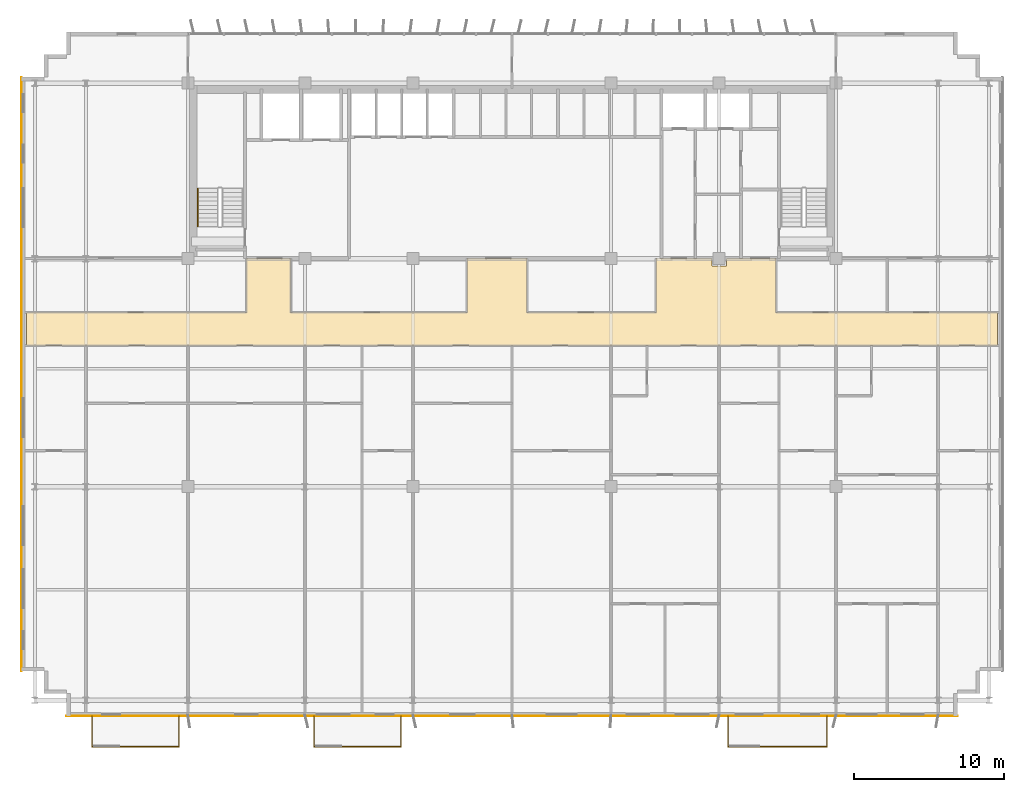
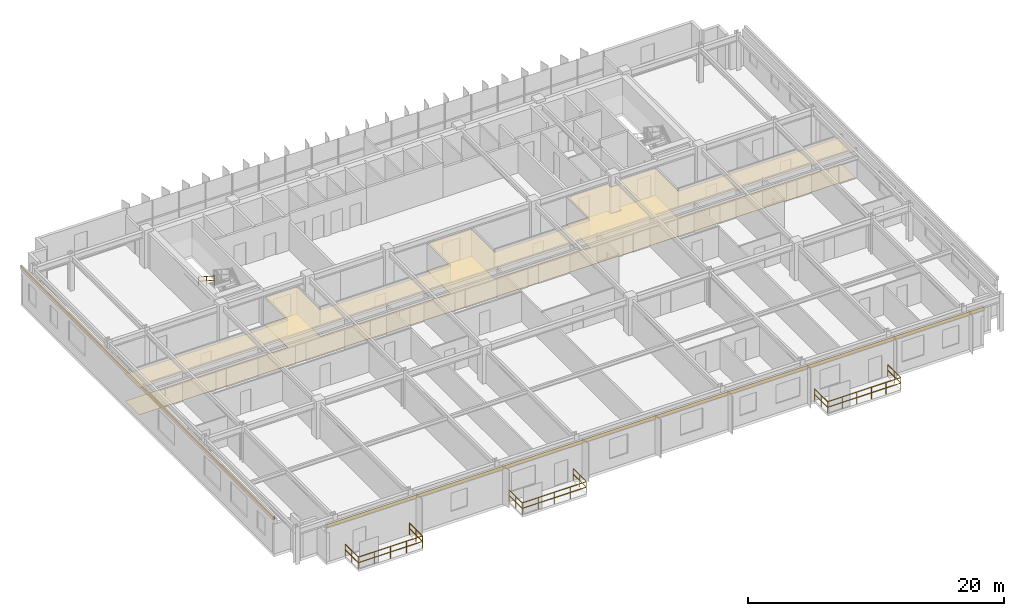
# One storey, part 19 of 21: 10 railings, 4 coverings.
"""IFC4 building model written with IfcOpenShell, lengths in metres."""

import ifcopenshell
import ifcopenshell.guid

model = None  # the IFC model being written
_history = None  # IfcOwnerHistory: only IFC2X3 demands one
_inside = {}  # id of a spatial element -> (the spatial element, [elements in it])
_under = {}  # id of a project, library or spatial element -> (it, [spatial elements below it])
_declared = {}  # id of a project -> (the project, [libraries it declares])
_typed = {}  # id of a type object -> (the type object, [elements of that type])
_made_of = {}  # id of a material, layer set ... -> (it, [elements and type objects made of it])


def new_model(schema):
    """Start an empty IFC model of exactly this schema.

    Asked for "IFC4X3", IfcOpenShell would pick the latest addendum, in which some entities
    have other attributes; the version numbers below select the first issue.
    IFC2X3 requires an IfcOwnerHistory on every rooted entity: one is made here for all.
    """
    global model, _history
    if schema == "IFC4X3":
        model = ifcopenshell.file(schema_version=(4, 3, 0, 0))
    else:
        model = ifcopenshell.file(schema=schema)
    _inside.clear()
    _under.clear()
    _declared.clear()
    _typed.clear()
    _made_of.clear()
    _history = None
    if model.schema == "IFC2X3":
        org = make("IfcOrganization", Name="unknown")
        user = make(
            "IfcPersonAndOrganization",
            ThePerson=make("IfcPerson", FamilyName="unknown"),
            TheOrganization=org,
        )
        app = make(
            "IfcApplication",
            ApplicationDeveloper=org,
            Version="unknown",
            ApplicationFullName="unknown",
            ApplicationIdentifier="unknown",
        )
        _history = make(
            "IfcOwnerHistory",
            OwningUser=user,
            OwningApplication=app,
            ChangeAction="ADDED",
            CreationDate=0,
        )
    return model


def make(cls, **values):
    """One entity of the class cls with the attributes given. An attribute that is None is left unset."""
    return model.create_entity(
        cls, **{name: value for name, value in values.items() if value is not None}
    )


def rooted(cls, **values):
    """An entity with a GlobalId (a new one), such as an element, a storey or a relation."""
    return make(cls, GlobalId=ifcopenshell.guid.new(), OwnerHistory=_history, **values)


def si_unit(unit_type, name, prefix=None):
    """IfcSIUnit, for example si_unit("LENGTHUNIT", "METRE", prefix="MILLI")."""
    return make("IfcSIUnit", UnitType=unit_type, Prefix=prefix, Name=name)


def assignment(units):
    """IfcUnitAssignment: the units of a project."""
    return None if units is None else make("IfcUnitAssignment", Units=units)


def point(xyz):
    """IfcCartesianPoint."""
    return None if xyz is None else make("IfcCartesianPoint", Coordinates=xyz)


def direction(xyz):
    """IfcDirection."""
    return None if xyz is None else make("IfcDirection", DirectionRatios=xyz)


def frame(location, z_axis=None, x_axis=None):
    """IfcAxis2Placement3D, a coordinate frame: its origin and axes. An axis left out is left unset."""
    return make(
        "IfcAxis2Placement3D",
        Location=point(location),
        Axis=direction(z_axis),
        RefDirection=direction(x_axis),
    )


def frame_2d(location, x_axis=None):
    """IfcAxis2Placement2D, a coordinate frame in the plane: its origin and x axis."""
    return make(
        "IfcAxis2Placement2D", Location=point(location), RefDirection=direction(x_axis)
    )


def origin():
    """The frame at (0, 0, 0) with its axes left unset."""
    return frame((0.0, 0.0, 0.0))


def origin_2d():
    """The frame at (0, 0) in the plane with its x axis left unset."""
    return frame_2d((0.0, 0.0))


def place(relative_to, where):
    """IfcLocalPlacement: puts the frame where relative to a parent placement (None: the world)."""
    return make(
        "IfcLocalPlacement", PlacementRelTo=relative_to, RelativePlacement=where
    )


def context(
    kind, dimensions, precision=None, world=None, true_north=None, identifier=None
):
    """IfcGeometricRepresentationContext, for example the 3D "Model" context."""
    return make(
        "IfcGeometricRepresentationContext",
        ContextIdentifier=identifier,
        ContextType=kind,
        CoordinateSpaceDimension=dimensions,
        Precision=precision,
        WorldCoordinateSystem=world,
        TrueNorth=true_north,
    )


def subcontext(parent, identifier, kind, view, scale=None):
    """IfcGeometricRepresentationSubContext, for example "Body" below "Model"."""
    return make(
        "IfcGeometricRepresentationSubContext",
        ContextIdentifier=identifier,
        ContextType=kind,
        ParentContext=parent,
        TargetScale=scale,
        TargetView=view,
    )


def project(units=None, contexts=None):
    """IfcProject with its units and contexts."""
    return rooted(
        "IfcProject",
        Name="project",
        RepresentationContexts=contexts,
        UnitsInContext=assignment(units),
    )


def spatial(cls, under=None, at=None, **own):
    """A site, building, storey or space (cls), placed at a placement, below another one or the project."""
    s = rooted(cls, ObjectPlacement=at, **own)
    if under is not None:
        _under.setdefault(under.id(), (under, []))[1].append(s)
    return s


def polyline(points):
    """IfcPolyline through the points."""
    return make("IfcPolyline", Points=[point(p) for p in points])


def profile(cls, at=None, kind="AREA", **sizes):
    """A parametric profile (cls). Its sizes go by their IFC names, for example OverallWidth=200.0."""
    return make(cls, ProfileType=kind, Position=at, **sizes)


def rectangle(**sizes):
    """IfcRectangleProfileDef."""
    return profile("IfcRectangleProfileDef", **sizes)


def outline(outer, holes=None, kind="AREA"):
    """IfcArbitraryClosedProfileDef: a profile drawn as a closed curve; with holes, ...WithVoids."""
    if holes is None:
        return make("IfcArbitraryClosedProfileDef", ProfileType=kind, OuterCurve=outer)
    return make(
        "IfcArbitraryProfileDefWithVoids",
        ProfileType=kind,
        OuterCurve=outer,
        InnerCurves=holes,
    )


def extrude(swept, where, along, depth):
    """IfcExtrudedAreaSolid: the profile swept, set in the frame where, extruded along a direction by depth."""
    return make(
        "IfcExtrudedAreaSolid",
        SweptArea=swept,
        Position=where,
        ExtrudedDirection=direction(along),
        Depth=depth,
    )


def shape(context_of_items, identifier, shape_type, items):
    """IfcShapeRepresentation: the items that make up one representation, for example the "Body"."""
    return make(
        "IfcShapeRepresentation",
        ContextOfItems=context_of_items,
        RepresentationIdentifier=identifier,
        RepresentationType=shape_type,
        Items=items,
    )


def source(mapping_origin, context_of_items, identifier, shape_type, items):
    """IfcRepresentationMap: a shape defined once, which mapped items show again and again."""
    return make(
        "IfcRepresentationMap",
        MappingOrigin=mapping_origin,
        MappedRepresentation=shape(context_of_items, identifier, shape_type, items),
    )


def transform(
    local_origin,
    x_axis=None,
    y_axis=None,
    z_axis=None,
    scale=None,
    scale2=None,
    scale3=None,
    uniform=True,
):
    """IfcCartesianTransformationOperator3D, or its non-uniform kind. x_axis, y_axis, z_axis: its Axis1, 2, 3."""
    if uniform:
        return make(
            "IfcCartesianTransformationOperator3D",
            Axis1=direction(x_axis),
            Axis2=direction(y_axis),
            LocalOrigin=point(local_origin),
            Scale=scale,
            Axis3=direction(z_axis),
        )
    return make(
        "IfcCartesianTransformationOperator3DnonUniform",
        Axis1=direction(x_axis),
        Axis2=direction(y_axis),
        LocalOrigin=point(local_origin),
        Scale=scale,
        Axis3=direction(z_axis),
        Scale2=scale2,
        Scale3=scale3,
    )


def mapped(mapping_source, mapping_target):
    """IfcMappedItem: shows the shape of a source again, moved by a transform."""
    return make(
        "IfcMappedItem", MappingSource=mapping_source, MappingTarget=mapping_target
    )


def material(Name=None, Category=None):
    """IfcMaterial."""
    return make("IfcMaterial", Name=Name, Category=Category)


def layer(
    of_material, thickness, ventilated=None, Name=None, Category=None, Priority=None
):
    """IfcMaterialLayer: one layer of a wall or slab, of a material (None: an air gap)."""
    return make(
        "IfcMaterialLayer",
        Material=of_material,
        LayerThickness=thickness,
        IsVentilated=ventilated,
        Name=Name,
        Category=Category,
        Priority=Priority,
    )


def layer_set(layers, Name=None):
    """IfcMaterialLayerSet."""
    return make("IfcMaterialLayerSet", MaterialLayers=layers, LayerSetName=Name)


def made_of(thing, what):
    """Note that an element or type object is made of a material, layer set ...; save() writes the relation."""
    if what is not None:
        _made_of.setdefault(what.id(), (what, []))[1].append(thing)
    return thing


def type_object(cls, material=None, **own):
    """A type object (cls), such as IfcWallType, which elements share."""
    return made_of(rooted(cls, **own), material)


def element(
    cls,
    number,
    at=None,
    inside=None,
    cuts=None,
    type_object=None,
    material=None,
    context=None,
    identifier="Body",
    shape_type=None,
    held_by="IfcProductDefinitionShape",
    body=None,
    shapes=None,
    **own,
):
    """One element of the class cls, such as IfcWall. Its Tag is "e" and its number.

    at: its placement. inside: the storey or other place that contains it. cuts: it is an
    opening in that element (IfcRelVoidsElement). A single representation is given by context,
    identifier, shape_type and body (its items); several are given by shapes. held_by: the class
    of the entity that holds the representations. save() writes the other relations.
    """
    e = rooted(cls, Tag="e%d" % number, ObjectPlacement=at, **own)
    if body is not None:
        shapes = [shape(context, identifier, shape_type, body)]
    if shapes is not None:
        e.Representation = make(held_by, Representations=shapes)
    if inside is not None:
        _inside.setdefault(inside.id(), (inside, []))[1].append(e)
    if cuts is not None:
        rooted(
            "IfcRelVoidsElement", RelatingBuildingElement=cuts, RelatedOpeningElement=e
        )
    if type_object is not None:
        _typed.setdefault(type_object.id(), (type_object, []))[1].append(e)
    return made_of(e, material)


def aggregate(whole, parts):
    """IfcRelAggregates: a whole, such as a stair, and the parts it consists of."""
    return rooted("IfcRelAggregates", RelatingObject=whole, RelatedObjects=parts)


def save(model, path):
    """Write the relations noted so far, then the file.

    IfcRelAggregates (storeys below a building ...), IfcRelContainedInSpatialStructure (elements
    in a storey), IfcRelDefinesByType, IfcRelAssociatesMaterial and IfcRelDeclares: one each for
    every whole, place, type object, material and project.
    """
    for whole, parts in _under.values():
        aggregate(whole, parts)
    for where, things in _inside.values():
        rooted(
            "IfcRelContainedInSpatialStructure",
            RelatedElements=things,
            RelatingStructure=where,
        )
    for kind, things in _typed.values():
        rooted("IfcRelDefinesByType", RelatedObjects=things, RelatingType=kind)
    for what, things in _made_of.values():
        rooted("IfcRelAssociatesMaterial", RelatedObjects=things, RelatingMaterial=what)
    for by, libraries in _declared.values():
        rooted("IfcRelDeclares", RelatingContext=by, RelatedDefinitions=libraries)
    model.write(path)


model = new_model("IFC4")

# Units and contexts
model_context = context("Model", 3, precision=1e-05, world=origin(), true_north=direction((0.0, 1.0)))
body_context = subcontext(model_context, "Body", "Model", "MODEL_VIEW")
ifc_project = project(units=[si_unit("LENGTHUNIT", "METRE"), si_unit("AREAUNIT", "SQUARE_METRE"), si_unit("VOLUMEUNIT", "CUBIC_METRE"), si_unit("PLANEANGLEUNIT", "RADIAN"), si_unit("MASSUNIT", "GRAM", prefix="KILO")], contexts=[model_context])

# Site, building, storey
site_placement = place(None, origin())
site = spatial("IfcSite", under=ifc_project, at=site_placement, CompositionType="ELEMENT")
building_placement = place(site_placement, origin())
building = spatial("IfcBuilding", under=site, at=building_placement, Name="Trelvane Seafront Commons", CompositionType="ELEMENT")
storey_placement = place(building_placement, frame((0.0, 0.0, 103.300048828125)))
storey = spatial("IfcBuildingStorey", under=building, at=storey_placement, Name="L26", CompositionType="ELEMENT", Elevation=103.300048828125)

# Coverings
ifc_material_1 = material(Name="Acoustic Mineral Fibre Ceiling")
ifc_layer_1 = layer(ifc_material_1, 0.02490234375, Name="ARCH-COV-CEIL25")
ifc_layer_set_1 = layer_set([ifc_layer_1], Name="Acoustic Mineral Fibre Ceiling")
covering_type_1 = type_object("IfcCoveringType", Name="ARCH-COV-CEIL25", PredefinedType="CEILING", material=ifc_layer_set_1)
covering_1_placement = place(storey_placement, frame((0.0, 0.0, 2.550048828125)))
element("IfcCovering", 1, at=covering_1_placement, inside=storey, type_object=covering_type_1, Name="COV-CEIL-L26-12", PredefinedType="CEILING", context=body_context, shape_type="SweptSolid", body=[
    extrude(outline(polyline([(51.47998046875, 33.39990234375), (51.47998046875, 32.919921875), (50.52001953125, 32.919921875), (50.52001953125, 33.39990234375), (46.800048828125, 33.39990234375), (46.800048828125, 29.800048828125), (38.199951171875, 29.800048828125), (38.199951171875, 33.39990234375), (34.199951171875, 33.39990234375), (34.199951171875, 29.800048828125), (22.449951171875, 29.800048828125), (22.449951171875, 33.39990234375), (19.5, 33.39990234375), (19.5, 29.800048828125), (4.85009765625, 29.800048828125), (4.85009765625, 27.60009765625), (69.550048828125, 27.60009765625), (69.550048828125, 29.800048828125), (54.800048828125, 29.800048828125), (54.800048828125, 33.39990234375), (51.47998046875, 33.39990234375)])), origin(), (0.0, 0.0, 1.0), 0.02490234375),
])
ifc_material_2 = material(Name="Polished Terrazzo Finish")
ifc_layer_2 = layer(ifc_material_2, 0.02001953125, Name="ARCH-COV-FLOR20")
ifc_layer_set_2 = layer_set([ifc_layer_2], Name="Polished Terrazzo Finish")
covering_type_2 = type_object("IfcCoveringType", Name="ARCH-COV-FLOR20", PredefinedType="FLOORING", material=ifc_layer_set_2)
covering_2_placement = place(storey_placement, origin())
element("IfcCovering", 2, at=covering_2_placement, inside=storey, type_object=covering_type_2, Name="COV-FLOR-L26-12", PredefinedType="FLOORING", context=body_context, shape_type="SweptSolid", body=[
    extrude(outline(polyline([(51.47998046875, 33.39990234375), (51.47998046875, 32.919921875), (50.52001953125, 32.919921875), (50.52001953125, 33.39990234375), (46.800048828125, 33.39990234375), (46.800048828125, 29.800048828125), (38.199951171875, 29.800048828125), (38.199951171875, 33.39990234375), (34.199951171875, 33.39990234375), (34.199951171875, 29.800048828125), (22.449951171875, 29.800048828125), (22.449951171875, 33.39990234375), (19.5, 33.39990234375), (19.5, 29.800048828125), (4.85009765625, 29.800048828125), (4.85009765625, 27.60009765625), (69.550048828125, 27.60009765625), (69.550048828125, 29.800048828125), (54.800048828125, 29.800048828125), (54.800048828125, 33.39990234375), (51.47998046875, 33.39990234375)])), origin(), (0.0, 0.0, 1.0), 0.02001953125),
])

# Railings
ifc_material_3 = material(Name="Stainless steel balustrade", Category="steel")
railing_type_1 = type_object("IfcRailingType", Name="ARCH-RAIL-BAL1150", PredefinedType="BALUSTRADE", material=ifc_material_3)
railing_1_placement = place(storey_placement, frame((9.199951171875, 2.89990234375, 0.0)))
element("IfcRailing", 3, at=railing_1_placement, inside=storey, type_object=railing_type_1, Name="RL-L26-BAL0-01", PredefinedType="BALUSTRADE", context=body_context, shape_type="SweptSolid", body=[
    extrude(rectangle(XDim=0.048095703125, YDim=0.048095703125, at=origin_2d()), frame((0.0, 0.0, 1.1259765625), z_axis=(0.0, -1.0, 0.0), x_axis=(1.0, 0.0, 0.0)), (0.0, 0.0, 1.0), 2.039794921875),
    extrude(rectangle(XDim=0.048095703125, YDim=0.048095703125, at=origin_2d()), frame((0.0, 0.0, 0.597900390625), z_axis=(0.0, -1.0, 0.0), x_axis=(1.0, 0.0, 0.0)), (0.0, 0.0, 1.0), 2.039794921875),
    extrude(rectangle(XDim=0.0419921875, YDim=0.0419921875, at=origin_2d()), origin(), (0.0, 0.0, 1.0), 1.1259765625),
    extrude(rectangle(XDim=0.0419921875, YDim=0.0419921875, at=origin_2d()), frame((0.0, -1.02001953125, 0.0)), (0.0, 0.0, 1.0), 1.1259765625),
    extrude(rectangle(XDim=0.0419921875, YDim=0.0419921875, at=origin_2d()), frame((0.0, -2.039794921875, 0.0)), (0.0, 0.0, 1.0), 1.1259765625),
])
railing_2_placement = place(storey_placement, frame((9.199951171875, 0.860107421875, 0.0)))
element("IfcRailing", 4, at=railing_2_placement, inside=storey, type_object=railing_type_1, Name="RL-L26-BAL0-02", PredefinedType="BALUSTRADE", context=body_context, shape_type="SweptSolid", body=[
    extrude(rectangle(XDim=0.048095703125, YDim=0.048095703125, at=origin_2d()), frame((0.0, 0.0, 1.1259765625), z_axis=(1.0, 0.0, 0.0), x_axis=(0.0, 1.0, 0.0)), (0.0, 0.0, 1.0), 5.800048828125),
    extrude(rectangle(XDim=0.048095703125, YDim=0.048095703125, at=origin_2d()), frame((0.0, 0.0, 0.597900390625), z_axis=(1.0, 0.0, 0.0), x_axis=(0.0, 1.0, 0.0)), (0.0, 0.0, 1.0), 5.800048828125),
    extrude(rectangle(XDim=0.0419921875, YDim=0.0419921875, at=origin_2d()), origin(), (0.0, 0.0, 1.0), 1.1259765625),
    extrude(rectangle(XDim=0.0419921875, YDim=0.0419921875, at=origin_2d()), frame((1.449951171875, 0.0, 0.0)), (0.0, 0.0, 1.0), 1.1259765625),
    extrude(rectangle(XDim=0.0419921875, YDim=0.0419921875, at=origin_2d()), frame((2.89990234375, 0.0, 0.0)), (0.0, 0.0, 1.0), 1.1259765625),
    extrude(rectangle(XDim=0.0419921875, YDim=0.0419921875, at=origin_2d()), frame((4.35009765625, 0.0, 0.0)), (0.0, 0.0, 1.0), 1.1259765625),
    extrude(rectangle(XDim=0.0419921875, YDim=0.0419921875, at=origin_2d()), frame((5.800048828125, 0.0, 0.0)), (0.0, 0.0, 1.0), 1.1259765625),
])
railing_3_placement = place(storey_placement, frame((15.0, 0.860107421875, 0.0)))
element("IfcRailing", 5, at=railing_3_placement, inside=storey, type_object=railing_type_1, Name="RL-L26-BAL0-03", PredefinedType="BALUSTRADE", context=body_context, shape_type="SweptSolid", body=[
    extrude(rectangle(XDim=0.048095703125, YDim=0.048095703125, at=origin_2d()), frame((0.0, 0.0, 1.1259765625), z_axis=(0.0, 1.0, 0.0), x_axis=(-1.0, 0.0, 0.0)), (0.0, 0.0, 1.0), 2.039794921875),
    extrude(rectangle(XDim=0.048095703125, YDim=0.048095703125, at=origin_2d()), frame((0.0, 0.0, 0.597900390625), z_axis=(0.0, 1.0, 0.0), x_axis=(-1.0, 0.0, 0.0)), (0.0, 0.0, 1.0), 2.039794921875),
    extrude(rectangle(XDim=0.0419921875, YDim=0.0419921875, at=origin_2d()), origin(), (0.0, 0.0, 1.0), 1.1259765625),
    extrude(rectangle(XDim=0.0419921875, YDim=0.0419921875, at=origin_2d()), frame((0.0, 1.02001953125, 0.0)), (0.0, 0.0, 1.0), 1.1259765625),
    extrude(rectangle(XDim=0.0419921875, YDim=0.0419921875, at=origin_2d()), frame((0.0, 2.039794921875, 0.0)), (0.0, 0.0, 1.0), 1.1259765625),
])
railing_4_placement = place(storey_placement, frame((24.0, 2.89990234375, 0.0)))
element("IfcRailing", 6, at=railing_4_placement, inside=storey, type_object=railing_type_1, Name="RL-L26-BAL1-01", PredefinedType="BALUSTRADE", context=body_context, shape_type="SweptSolid", body=[
    extrude(rectangle(XDim=0.048095703125, YDim=0.048095703125, at=origin_2d()), frame((0.0, 0.0, 1.1259765625), z_axis=(0.0, -1.0, 0.0), x_axis=(1.0, 0.0, 0.0)), (0.0, 0.0, 1.0), 2.039794921875),
    extrude(rectangle(XDim=0.048095703125, YDim=0.048095703125, at=origin_2d()), frame((0.0, 0.0, 0.597900390625), z_axis=(0.0, -1.0, 0.0), x_axis=(1.0, 0.0, 0.0)), (0.0, 0.0, 1.0), 2.039794921875),
    extrude(rectangle(XDim=0.0419921875, YDim=0.0419921875, at=origin_2d()), origin(), (0.0, 0.0, 1.0), 1.1259765625),
    extrude(rectangle(XDim=0.0419921875, YDim=0.0419921875, at=origin_2d()), frame((0.0, -1.02001953125, 0.0)), (0.0, 0.0, 1.0), 1.1259765625),
    extrude(rectangle(XDim=0.0419921875, YDim=0.0419921875, at=origin_2d()), frame((0.0, -2.039794921875, 0.0)), (0.0, 0.0, 1.0), 1.1259765625),
])
railing_5_placement = place(storey_placement, frame((24.0, 0.860107421875, 0.0)))
element("IfcRailing", 7, at=railing_5_placement, inside=storey, type_object=railing_type_1, Name="RL-L26-BAL1-02", PredefinedType="BALUSTRADE", context=body_context, shape_type="SweptSolid", body=[
    extrude(rectangle(XDim=0.048095703125, YDim=0.048095703125, at=origin_2d()), frame((0.0, 0.0, 1.1259765625), z_axis=(1.0, 0.0, 0.0), x_axis=(0.0, 1.0, 0.0)), (0.0, 0.0, 1.0), 5.800048828125),
    extrude(rectangle(XDim=0.048095703125, YDim=0.048095703125, at=origin_2d()), frame((0.0, 0.0, 0.597900390625), z_axis=(1.0, 0.0, 0.0), x_axis=(0.0, 1.0, 0.0)), (0.0, 0.0, 1.0), 5.800048828125),
    extrude(rectangle(XDim=0.0419921875, YDim=0.0419921875, at=origin_2d()), origin(), (0.0, 0.0, 1.0), 1.1259765625),
    extrude(rectangle(XDim=0.0419921875, YDim=0.0419921875, at=origin_2d()), frame((1.449951171875, 0.0, 0.0)), (0.0, 0.0, 1.0), 1.1259765625),
    extrude(rectangle(XDim=0.0419921875, YDim=0.0419921875, at=origin_2d()), frame((2.89990234375, 0.0, 0.0)), (0.0, 0.0, 1.0), 1.1259765625),
    extrude(rectangle(XDim=0.0419921875, YDim=0.0419921875, at=origin_2d()), frame((4.35009765625, 0.0, 0.0)), (0.0, 0.0, 1.0), 1.1259765625),
    extrude(rectangle(XDim=0.0419921875, YDim=0.0419921875, at=origin_2d()), frame((5.800048828125, 0.0, 0.0)), (0.0, 0.0, 1.0), 1.1259765625),
])
railing_6_placement = place(storey_placement, frame((29.800048828125, 0.860107421875, 0.0)))
element("IfcRailing", 8, at=railing_6_placement, inside=storey, type_object=railing_type_1, Name="RL-L26-BAL1-03", PredefinedType="BALUSTRADE", context=body_context, shape_type="SweptSolid", body=[
    extrude(rectangle(XDim=0.048095703125, YDim=0.048095703125, at=origin_2d()), frame((0.0, 0.0, 1.1259765625), z_axis=(0.0, 1.0, 0.0), x_axis=(-1.0, 0.0, 0.0)), (0.0, 0.0, 1.0), 2.039794921875),
    extrude(rectangle(XDim=0.048095703125, YDim=0.048095703125, at=origin_2d()), frame((0.0, 0.0, 0.597900390625), z_axis=(0.0, 1.0, 0.0), x_axis=(-1.0, 0.0, 0.0)), (0.0, 0.0, 1.0), 2.039794921875),
    extrude(rectangle(XDim=0.0419921875, YDim=0.0419921875, at=origin_2d()), origin(), (0.0, 0.0, 1.0), 1.1259765625),
    extrude(rectangle(XDim=0.0419921875, YDim=0.0419921875, at=origin_2d()), frame((0.0, 1.02001953125, 0.0)), (0.0, 0.0, 1.0), 1.1259765625),
    extrude(rectangle(XDim=0.0419921875, YDim=0.0419921875, at=origin_2d()), frame((0.0, 2.039794921875, 0.0)), (0.0, 0.0, 1.0), 1.1259765625),
])
railing_7_placement = place(storey_placement, frame((51.60009765625, 2.89990234375, 0.0)))
element("IfcRailing", 9, at=railing_7_placement, inside=storey, type_object=railing_type_1, Name="RL-L26-BAL2-01", PredefinedType="BALUSTRADE", context=body_context, shape_type="SweptSolid", body=[
    extrude(rectangle(XDim=0.048095703125, YDim=0.048095703125, at=origin_2d()), frame((0.0, 0.0, 1.1259765625), z_axis=(0.0, -1.0, 0.0), x_axis=(1.0, 0.0, 0.0)), (0.0, 0.0, 1.0), 2.039794921875),
    extrude(rectangle(XDim=0.048095703125, YDim=0.048095703125, at=origin_2d()), frame((0.0, 0.0, 0.597900390625), z_axis=(0.0, -1.0, 0.0), x_axis=(1.0, 0.0, 0.0)), (0.0, 0.0, 1.0), 2.039794921875),
    extrude(rectangle(XDim=0.0419921875, YDim=0.0419921875, at=origin_2d()), origin(), (0.0, 0.0, 1.0), 1.1259765625),
    extrude(rectangle(XDim=0.0419921875, YDim=0.0419921875, at=origin_2d()), frame((0.0, -1.02001953125, 0.0)), (0.0, 0.0, 1.0), 1.1259765625),
    extrude(rectangle(XDim=0.0419921875, YDim=0.0419921875, at=origin_2d()), frame((0.0, -2.039794921875, 0.0)), (0.0, 0.0, 1.0), 1.1259765625),
])
railing_8_placement = place(storey_placement, frame((51.60009765625, 0.860107421875, 0.0)))
element("IfcRailing", 10, at=railing_8_placement, inside=storey, type_object=railing_type_1, Name="RL-L26-BAL2-02", PredefinedType="BALUSTRADE", context=body_context, shape_type="SweptSolid", body=[
    extrude(rectangle(XDim=0.048095703125, YDim=0.048095703125, at=origin_2d()), frame((0.0, 0.0, 1.1259765625), z_axis=(1.0, 0.0, 0.0), x_axis=(0.0, 1.0, 0.0)), (0.0, 0.0, 1.0), 6.599853515625),
    extrude(rectangle(XDim=0.048095703125, YDim=0.048095703125, at=origin_2d()), frame((0.0, 0.0, 0.597900390625), z_axis=(1.0, 0.0, 0.0), x_axis=(0.0, 1.0, 0.0)), (0.0, 0.0, 1.0), 6.599853515625),
    extrude(rectangle(XDim=0.0419921875, YDim=0.0419921875, at=origin_2d()), origin(), (0.0, 0.0, 1.0), 1.1259765625),
    extrude(rectangle(XDim=0.0419921875, YDim=0.0419921875, at=origin_2d()), frame((1.320068359375, 0.0, 0.0)), (0.0, 0.0, 1.0), 1.1259765625),
    extrude(rectangle(XDim=0.0419921875, YDim=0.0419921875, at=origin_2d()), frame((2.639892578125, 0.0, 0.0)), (0.0, 0.0, 1.0), 1.1259765625),
    extrude(rectangle(XDim=0.0419921875, YDim=0.0419921875, at=origin_2d()), frame((3.9599609375, 0.0, 0.0)), (0.0, 0.0, 1.0), 1.1259765625),
    extrude(rectangle(XDim=0.0419921875, YDim=0.0419921875, at=origin_2d()), frame((5.27978515625, 0.0, 0.0)), (0.0, 0.0, 1.0), 1.1259765625),
    extrude(rectangle(XDim=0.0419921875, YDim=0.0419921875, at=origin_2d()), frame((6.599853515625, 0.0, 0.0)), (0.0, 0.0, 1.0), 1.1259765625),
])
railing_9_placement = place(storey_placement, frame((58.199951171875, 0.860107421875, 0.0)))
element("IfcRailing", 11, at=railing_9_placement, inside=storey, type_object=railing_type_1, Name="RL-L26-BAL2-03", PredefinedType="BALUSTRADE", context=body_context, shape_type="SweptSolid", body=[
    extrude(rectangle(XDim=0.048095703125, YDim=0.048095703125, at=origin_2d()), frame((0.0, 0.0, 1.1259765625), z_axis=(0.0, 1.0, 0.0), x_axis=(-1.0, 0.0, 0.0)), (0.0, 0.0, 1.0), 2.039794921875),
    extrude(rectangle(XDim=0.048095703125, YDim=0.048095703125, at=origin_2d()), frame((0.0, 0.0, 0.597900390625), z_axis=(0.0, 1.0, 0.0), x_axis=(-1.0, 0.0, 0.0)), (0.0, 0.0, 1.0), 2.039794921875),
    extrude(rectangle(XDim=0.0419921875, YDim=0.0419921875, at=origin_2d()), origin(), (0.0, 0.0, 1.0), 1.1259765625),
    extrude(rectangle(XDim=0.0419921875, YDim=0.0419921875, at=origin_2d()), frame((0.0, 1.02001953125, 0.0)), (0.0, 0.0, 1.0), 1.1259765625),
    extrude(rectangle(XDim=0.0419921875, YDim=0.0419921875, at=origin_2d()), frame((0.0, 2.039794921875, 0.0)), (0.0, 0.0, 1.0), 1.1259765625),
])
railing_type_2 = type_object("IfcRailingType", Name="ARCH-SRL-HAND", PredefinedType="HANDRAIL", material=ifc_material_3)
railing_10_placement = place(storey_placement, frame((16.25, 38.070068359375, 1.97998046875)))
element("IfcRailing", 12, at=railing_10_placement, inside=storey, type_object=railing_type_2, Name="L26 ST-1 stair handrail 2", PredefinedType="HANDRAIL", context=body_context, shape_type="SweptSolid", body=[
    extrude(rectangle(XDim=0.048095703125, YDim=0.048095703125, at=origin_2d()), frame((0.0, 0.0, 0.8759765625), z_axis=(0.0, -0.841199657755, 0.540724639528), x_axis=(1.0, 0.0, 0.0)), (0.0, 0.0, 1.0), 2.995849609375),
    extrude(rectangle(XDim=0.048095703125, YDim=0.048095703125, at=origin_2d()), frame((0.0, 0.0, 0.468017578125), z_axis=(0.0, -0.841199657755, 0.540724639528), x_axis=(1.0, 0.0, 0.0)), (0.0, 0.0, 1.0), 2.995849609375),
    extrude(rectangle(XDim=0.0419921875, YDim=0.0419921875, at=origin_2d()), origin(), (0.0, 0.0, 1.0), 0.8759765625),
    extrude(rectangle(XDim=0.0419921875, YDim=0.0419921875, at=origin_2d()), frame((0.0, -1.260009765625, 0.81005859375)), (0.0, 0.0, 1.0), 0.8759765625),
    extrude(rectangle(XDim=0.0419921875, YDim=0.0419921875, at=origin_2d()), frame((0.0, -2.52001953125, 1.619873046875)), (0.0, 0.0, 1.0), 0.8759765625),
])

# Coverings
ifc_material_4 = material(Name="Anodised pale-silver aluminium", Category="aluminium")
ifc_layer_3 = layer(ifc_material_4, 0.034912109375, Name="ARCH-COV-CLAD35")
ifc_layer_set_3 = layer_set([ifc_layer_3], Name="Anodised pale-silver aluminium")
covering_type_3 = type_object("IfcCoveringType", Name="ARCH-COV-CLAD35", PredefinedType="CLADDING", material=ifc_layer_set_3)
shared_shape_1 = source(origin(), body_context, "Body", "SweptSolid", [
    extrude(rectangle(XDim=39.60009765625, YDim=0.034912109375, at=origin_2d()), origin(), (0.0, 0.0, 1.0), 0.300048828125),
])
covering_3_placement = place(storey_placement, frame((4.5, 25.699951171875, 3.2998046875), z_axis=(0.0, 0.0, 1.0), x_axis=(0.0, 1.0, 0.0)))
element("IfcCovering", 13, at=covering_3_placement, inside=storey, type_object=covering_type_3, Name="CLD-L26-00109", PredefinedType="CLADDING", context=body_context, shape_type="MappedRepresentation", body=[
    mapped(shared_shape_1, transform((0.0, 0.0, 0.0), x_axis=(1.0, 0.0, 0.0), y_axis=(0.0, 1.0, 0.0), z_axis=(0.0, 0.0, 1.0), scale=1.0)),
])
shared_shape_2 = source(origin(), body_context, "Body", "SweptSolid", [
    extrude(rectangle(XDim=59.39990234375, YDim=0.034912109375, at=origin_2d()), origin(), (0.0, 0.0, 1.0), 0.300048828125),
])
covering_4_placement = place(storey_placement, frame((37.199951171875, 2.89990234375, 3.2998046875), z_axis=(0.0, 0.0, 1.0), x_axis=(-1.0, 0.0, 0.0)))
element("IfcCovering", 14, at=covering_4_placement, inside=storey, type_object=covering_type_3, Name="CLD-L26-00111", PredefinedType="CLADDING", context=body_context, shape_type="MappedRepresentation", body=[
    mapped(shared_shape_2, transform((0.0, 0.0, 0.0), x_axis=(1.0, 0.0, 0.0), y_axis=(0.0, 1.0, 0.0), z_axis=(0.0, 0.0, 1.0), scale=1.0)),
])

save(model, "model.ifc")
